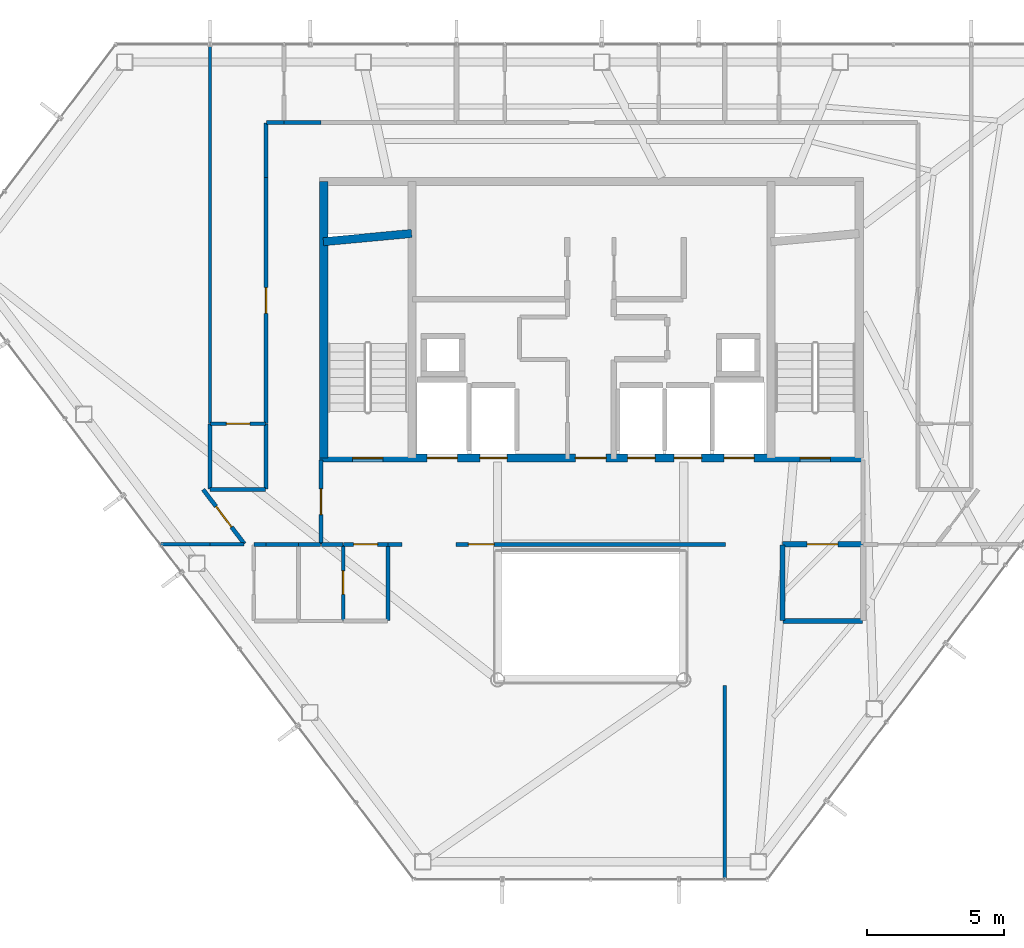
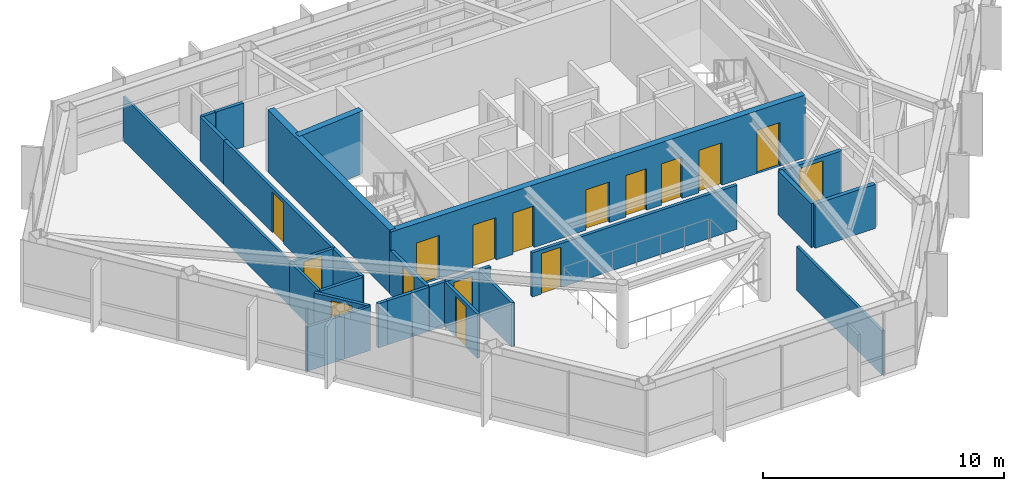
# One storey, part 22 of 25: 29 walls, 16 doors, 16 openings.
"""IFC4 building model written with IfcOpenShell, lengths in metres."""

from ifc_helpers import new_model, si_unit, direction, frame, frame_2d, origin, place, context, subcontext, project, spatial, rectangle, extrude, material, layer, layer_set, type_object, element, fill, save


model = new_model("IFC4")

# Units and contexts
model_context = context("Model", 3, precision=1e-05, world=origin(), true_north=direction((0.0, 1.0)))
body_context = subcontext(model_context, "Body", "Model", "MODEL_VIEW")
ifc_project = project(units=[si_unit("LENGTHUNIT", "METRE"), si_unit("AREAUNIT", "SQUARE_METRE"), si_unit("VOLUMEUNIT", "CUBIC_METRE"), si_unit("PLANEANGLEUNIT", "RADIAN"), si_unit("MASSUNIT", "GRAM", prefix="KILO")], contexts=[model_context])

# Site, building, storey
site_placement = place(None, origin())
site = spatial("IfcSite", under=ifc_project, at=site_placement, CompositionType="ELEMENT")
building_placement = place(site_placement, origin())
building = spatial("IfcBuilding", under=site, at=building_placement, Name="Zarrinselat Tower", CompositionType="ELEMENT")
storey_placement = place(building_placement, frame((0.0, 0.0, 208.760009765625)))
storey = spatial("IfcBuildingStorey", under=building, at=storey_placement, Name="L51", CompositionType="ELEMENT", Elevation=208.760009765625)

# Wall, opening, door
ifc_material_1 = material(Name="Concrete C40/50", Category="concrete")
ifc_layer_1 = layer(ifc_material_1, 0.18994140625)
ifc_layer_set_1 = layer_set([ifc_layer_1], Name="Concrete C40/50")
wall_type_1 = type_object("IfcWallType", Name="WAL-PART-EI120", PredefinedType="PARTITIONING", material=ifc_layer_set_1)
wall_1_placement = place(storey_placement, frame((45.405029296875, 30.14990234375, 0.0), z_axis=(0.0, 0.0, 1.0), x_axis=(1.0, 0.0, 0.0)))
wall_1 = element("IfcWall", 1, at=wall_1_placement, inside=storey, type_object=wall_type_1, Name="L51 Partition Wall 16", PredefinedType="PARTITIONING", context=body_context, shape_type="SweptSolid", body=[
    extrude(rectangle(XDim=2.925048828125, YDim=0.18994140625, at=frame_2d((1.46240234375, 0.0))), origin(), (0.0, 0.0, 1.0), 2.235107421875),
])
opening_1_placement = place(wall_1_placement, frame((0.902587890625, 0.0, 0.0)))
opening_1 = element("IfcOpeningElement", 2, at=opening_1_placement, cuts=wall_1, Name="Opening ID-02", PredefinedType="OPENING", context=body_context, shape_type="SweptSolid", body=[
    extrude(rectangle(XDim=1.1201171875, YDim=2.050048828125, at=frame_2d((0.56005859375, 1.02490234375))), frame((0.0, 0.10498046875, 0.0), z_axis=(0.0, -1.0, 0.0), x_axis=(1.0, 0.0, 0.0)), (0.0, 0.0, 1.0), 0.2099609375),
])
ifc_material_2 = material(Name="Steel S355J2", Category="steel")
door_type_1 = type_object("IfcDoorType", Name="DR-INT-FD60-W", OperationType="NOTDEFINED", PredefinedType="DOOR", material=ifc_material_2)
door_1_placement = place(opening_1_placement, origin())
door_1 = element("IfcDoor", 3, at=door_1_placement, inside=storey, type_object=door_type_1, Name="L51 Interior Door P16", OperationType="SINGLE_SWING_RIGHT", OverallHeight=2.050048828125, OverallWidth=1.1201171875, PredefinedType="DOOR", context=body_context, shape_type="SweptSolid", body=[
    extrude(rectangle(XDim=1.1201171875, YDim=2.050048828125, at=frame_2d((0.56005859375, 1.02490234375))), frame((0.0, 0.02490234375, 0.0), z_axis=(0.0, -1.0, 0.0), x_axis=(1.0, 0.0, 0.0)), (0.0, 0.0, 1.0), 0.050048828125),
])
fill(opening_1, door_1)

# Walls
wall_2_placement = place(storey_placement, frame((45.419921875, 27.35009765625, 0.0), z_axis=(0.0, 0.0, 1.0), x_axis=(1.0, 0.0, 0.0)))
element("IfcWall", 4, at=wall_2_placement, inside=storey, type_object=wall_type_1, Name="L51 Partition Wall 23", PredefinedType="PARTITIONING", context=body_context, shape_type="SweptSolid", body=[
    extrude(rectangle(XDim=2.91015625, YDim=0.18994140625, at=frame_2d((1.455078125, 0.0))), origin(), (0.0, 0.0, 1.0), 2.235107421875),
])
wall_3_placement = place(storey_placement, frame((45.39990234375, 27.3701171875, 0.0), z_axis=(0.0, 0.0, 1.0), x_axis=(0.0, 1.0, 0.0)))
element("IfcWall", 5, at=wall_3_placement, inside=storey, type_object=wall_type_1, Name="L51 Partition Wall 24", PredefinedType="PARTITIONING", context=body_context, shape_type="SweptSolid", body=[
    extrude(rectangle(XDim=2.759765625, YDim=0.18994140625, at=frame_2d((1.3798828125, 0.0))), origin(), (0.0, 0.0, 1.0), 2.235107421875),
])

# Wall, opening, door
ifc_material_3 = material(Name="Fire-Rated Gypsum Board Partition", Category="gypsum")
ifc_layer_2 = layer(ifc_material_3, 0.14990234375)
ifc_layer_set_2 = layer_set([ifc_layer_2], Name="Fire-Rated Gypsum Board Partition")
wall_type_2 = type_object("IfcWallType", Name="WAL-PART-EI60", PredefinedType="PARTITIONING", material=ifc_layer_set_2)
wall_4_placement = place(storey_placement, frame((28.550048828125, 30.169921875, 0.0), z_axis=(0.0, 0.0, 1.0), x_axis=(0.0, 1.0, 0.0)))
wall_4 = element("IfcWall", 6, at=wall_4_placement, inside=storey, type_object=wall_type_2, Name="L51 Partition Wall 17", PredefinedType="PARTITIONING", context=body_context, shape_type="SweptSolid", body=[
    extrude(rectangle(XDim=3.06005859375, YDim=0.14990234375, at=frame_2d((1.530029296875, 0.0))), origin(), (0.0, 0.0, 1.0), 2.235107421875),
])
opening_2_placement = place(wall_4_placement, frame((1.06005859375, 0.0, 0.0)))
opening_2 = element("IfcOpeningElement", 7, at=opening_2_placement, cuts=wall_4, Name="Opening ID-04", PredefinedType="OPENING", context=body_context, shape_type="SweptSolid", body=[
    extrude(rectangle(XDim=0.93994140625, YDim=2.050048828125, at=frame_2d((0.469970703125, 1.02490234375))), frame((0.0, 0.0849609375, 0.0), z_axis=(0.0, -1.0, 0.0), x_axis=(1.0, 0.0, 0.0)), (0.0, 0.0, 1.0), 0.169921875),
])
ifc_material_4 = material(Name="Fire-Rated Gypsum Board Partition")
door_type_2 = type_object("IfcDoorType", Name="DR-INT-FD30-ENT", OperationType="NOTDEFINED", PredefinedType="DOOR", material=ifc_material_4)
door_2_placement = place(opening_2_placement, origin())
door_2 = element("IfcDoor", 8, at=door_2_placement, inside=storey, type_object=door_type_2, Name="L51 Interior Door P17", OperationType="SINGLE_SWING_LEFT", OverallHeight=2.050048828125, OverallWidth=0.93994140625, PredefinedType="DOOR", context=body_context, shape_type="SweptSolid", body=[
    extrude(rectangle(XDim=0.93994140625, YDim=2.050048828125, at=frame_2d((0.469970703125, 1.02490234375))), frame((0.0, 0.02490234375, 0.0), z_axis=(0.0, -1.0, 0.0), x_axis=(1.0, 0.0, 0.0)), (0.0, 0.0, 1.0), 0.050048828125),
])
fill(opening_2, door_2)

wall_5_placement = place(storey_placement, frame((29.364990234375, 30.14990234375, 0.0), z_axis=(0.0, 0.0, 1.0), x_axis=(1.0, 0.0, 0.0)))
wall_5 = element("IfcWall", 9, at=wall_5_placement, inside=storey, type_object=wall_type_2, Name="L51 Partition Wall 19", PredefinedType="PARTITIONING", context=body_context, shape_type="SweptSolid", body=[
    extrude(rectangle(XDim=1.630126953125, YDim=0.14990234375, at=frame_2d((0.81494140625, 0.0))), origin(), (0.0, 0.0, 1.0), 2.235107421875),
])
opening_3_placement = place(wall_5_placement, frame((0.375, 0.0, 0.0)))
opening_3 = element("IfcOpeningElement", 10, at=opening_3_placement, cuts=wall_5, Name="Opening ID-03", PredefinedType="OPENING", context=body_context, shape_type="SweptSolid", body=[
    extrude(rectangle(XDim=0.8798828125, YDim=2.050048828125, at=frame_2d((0.43994140625, 1.02490234375))), frame((0.0, 0.0849609375, 0.0), z_axis=(0.0, -1.0, 0.0), x_axis=(1.0, 0.0, 0.0)), (0.0, 0.0, 1.0), 0.169921875),
])
ifc_material_5 = material(Name="Steel S355J2", Category="steel")
door_type_3 = type_object("IfcDoorType", Name="DR-INT-FD60-S", OperationType="NOTDEFINED", PredefinedType="DOOR", material=ifc_material_5)
door_3_placement = place(opening_3_placement, origin())
door_3 = element("IfcDoor", 11, at=door_3_placement, inside=storey, type_object=door_type_3, Name="L51 Interior Door P19", OperationType="SINGLE_SWING_RIGHT", OverallHeight=2.050048828125, OverallWidth=0.8798828125, PredefinedType="DOOR", context=body_context, shape_type="SweptSolid", body=[
    extrude(rectangle(XDim=0.8798828125, YDim=2.050048828125, at=frame_2d((0.43994140625, 1.02490234375))), frame((0.0, 0.02490234375, 0.0), z_axis=(0.0, -1.0, 0.0), x_axis=(1.0, 0.0, 0.0)), (0.0, 0.0, 1.0), 0.050048828125),
])
fill(opening_3, door_3)

# Wall
wall_6_placement = place(storey_placement, frame((28.570068359375, 30.14990234375, 0.0), z_axis=(0.0, 0.0, 1.0), x_axis=(1.0, 0.0, 0.0)))
element("IfcWall", 12, at=wall_6_placement, inside=storey, type_object=wall_type_2, Name="L51 Partition Wall 20", PredefinedType="PARTITIONING", context=body_context, shape_type="SweptSolid", body=[
    extrude(rectangle(XDim=0.784912109375, YDim=0.14990234375, at=frame_2d((0.392578125, 0.0))), origin(), (0.0, 0.0, 1.0), 2.235107421875),
])

# Wall, opening, door
wall_7_placement = place(storey_placement, frame((33.485107421875, 30.14990234375, 0.0), z_axis=(0.0, 0.0, 1.0), x_axis=(1.0, 0.0, 0.0)))
wall_7 = element("IfcWall", 13, at=wall_7_placement, inside=storey, type_object=wall_type_2, Name="L51 Partition Wall 21", PredefinedType="PARTITIONING", context=body_context, shape_type="SweptSolid", body=[
    extrude(rectangle(XDim=9.829833984375, YDim=0.14990234375, at=frame_2d((4.9150390625, 0.0))), origin(), (0.0, 0.0, 1.0), 2.235107421875),
])
opening_4_placement = place(wall_7_placement, frame((0.445068359375, 0.0, 0.0)))
opening_4 = element("IfcOpeningElement", 14, at=opening_4_placement, cuts=wall_7, Name="Opening ID-04", PredefinedType="OPENING", context=body_context, shape_type="SweptSolid", body=[
    extrude(rectangle(XDim=0.93994140625, YDim=2.050048828125, at=frame_2d((0.469970703125, 1.02490234375))), frame((0.0, 0.0849609375, 0.0), z_axis=(0.0, -1.0, 0.0), x_axis=(1.0, 0.0, 0.0)), (0.0, 0.0, 1.0), 0.169921875),
])
door_4_placement = place(opening_4_placement, origin())
door_4 = element("IfcDoor", 15, at=door_4_placement, inside=storey, type_object=door_type_2, Name="L51 Interior Door P21", OperationType="SINGLE_SWING_LEFT", OverallHeight=2.050048828125, OverallWidth=0.93994140625, PredefinedType="DOOR", context=body_context, shape_type="SweptSolid", body=[
    extrude(rectangle(XDim=0.93994140625, YDim=2.050048828125, at=frame_2d((0.469970703125, 1.02490234375))), frame((0.0, 0.02490234375, 0.0), z_axis=(0.0, -1.0, 0.0), x_axis=(1.0, 0.0, 0.0)), (0.0, 0.0, 1.0), 0.050048828125),
])
fill(opening_4, door_4)

# Walls
wall_8_placement = place(storey_placement, frame((31.0048828125, 30.14990234375, 0.0), z_axis=(0.0, 0.0, 1.0), x_axis=(1.0, 0.0, 0.0)))
element("IfcWall", 16, at=wall_8_placement, inside=storey, type_object=wall_type_2, Name="L51 Partition Wall 22", PredefinedType="PARTITIONING", context=body_context, shape_type="SweptSolid", body=[
    extrude(rectangle(XDim=0.510009765625, YDim=0.14990234375, at=frame_2d((0.2548828125, 0.0))), origin(), (0.0, 0.0, 1.0), 2.235107421875),
])
wall_9_placement = place(storey_placement, frame((26.550048828125, 30.14990234375, 0.0), z_axis=(0.0, 0.0, 1.0), x_axis=(1.0, 0.0, 0.0)))
element("IfcWall", 17, at=wall_9_placement, inside=storey, type_object=wall_type_2, Name="L51 Partition Wall 26", PredefinedType="PARTITIONING", context=body_context, shape_type="SweptSolid", body=[
    extrude(rectangle(XDim=1.175048828125, YDim=0.14990234375, at=frame_2d((0.58740234375, 0.0))), origin(), (0.0, 0.0, 1.0), 2.235107421875),
])
wall_10_placement = place(storey_placement, frame((26.10498046875, 30.14990234375, 0.0), z_axis=(0.0, 0.0, 1.0), x_axis=(1.0, 0.0, 0.0)))
element("IfcWall", 18, at=wall_10_placement, inside=storey, type_object=wall_type_2, Name="L51 Partition Wall 27", PredefinedType="PARTITIONING", context=body_context, shape_type="SweptSolid", body=[
    extrude(rectangle(XDim=0.445068359375, YDim=0.14990234375, at=frame_2d((0.22265625, 0.0))), origin(), (0.0, 0.0, 1.0), 2.235107421875),
])
wall_11_placement = place(storey_placement, frame((27.735107421875, 30.14990234375, 0.0), z_axis=(0.0, 0.0, 1.0), x_axis=(1.0, 0.0, 0.0)))
element("IfcWall", 19, at=wall_11_placement, inside=storey, type_object=wall_type_2, Name="L51 Partition Wall 28", PredefinedType="PARTITIONING", context=body_context, shape_type="SweptSolid", body=[
    extrude(rectangle(XDim=0.794921875, YDim=0.14990234375, at=frame_2d((0.3974609375, 0.0))), origin(), (0.0, 0.0, 1.0), 2.235107421875),
])

# Wall, opening, door
wall_12_placement = place(storey_placement, frame((24.249755859375, 32.14990234375, 0.0), z_axis=(0.0, 0.0, 1.0), x_axis=(0.60385391082, -0.797095009637, 0.0)))
wall_12 = element("IfcWall", 20, at=wall_12_placement, inside=storey, type_object=wall_type_2, Name="L51 Partition Wall 31", PredefinedType="PARTITIONING", context=body_context, shape_type="SweptSolid", body=[
    extrude(rectangle(XDim=2.489013671875, YDim=0.14990234375, at=frame_2d((1.24462890625, 0.0))), origin(), (0.0, 0.0, 1.0), 2.235107421875),
])
opening_5_placement = place(wall_12_placement, frame((0.774658203125, 0.0, 0.0)))
opening_5 = element("IfcOpeningElement", 21, at=opening_5_placement, cuts=wall_12, Name="Opening ID-04", PredefinedType="OPENING", context=body_context, shape_type="SweptSolid", body=[
    extrude(rectangle(XDim=0.93994140625, YDim=2.050048828125, at=frame_2d((0.469970703125, 1.02490234375))), frame((0.0, 0.0849609375, 0.0), z_axis=(0.0, -1.0, 0.0), x_axis=(1.0, 0.0, 0.0)), (0.0, 0.0, 1.0), 0.169921875),
])
door_5_placement = place(opening_5_placement, origin())
door_5 = element("IfcDoor", 22, at=door_5_placement, inside=storey, type_object=door_type_2, Name="L51 Interior Door P31", OperationType="SINGLE_SWING_LEFT", OverallHeight=2.050048828125, OverallWidth=0.93994140625, PredefinedType="DOOR", context=body_context, shape_type="SweptSolid", body=[
    extrude(rectangle(XDim=0.93994140625, YDim=2.050048828125, at=frame_2d((0.469970703125, 1.02490234375))), frame((0.0, 0.02490234375, 0.0), z_axis=(0.0, -1.0, 0.0), x_axis=(1.0, 0.0, 0.0)), (0.0, 0.0, 1.0), 0.050048828125),
])
fill(opening_5, door_5)

wall_13_placement = place(storey_placement, frame((26.550048828125, 34.554931640625, 0.0), z_axis=(0.0, 0.0, 1.0), x_axis=(0.0, 1.0, 0.0)))
wall_13 = element("IfcWall", 23, at=wall_13_placement, inside=storey, type_object=wall_type_2, Name="L51 Partition Wall 33", PredefinedType="PARTITIONING", context=body_context, shape_type="SweptSolid", body=[
    extrude(rectangle(XDim=8.9951171875, YDim=0.14990234375, at=frame_2d((4.49755859375, 0.0))), origin(), (0.0, 0.0, 1.0), 2.235107421875),
])
opening_6_placement = place(wall_13_placement, frame((4.027587890625, 0.0, 0.0)))
opening_6 = element("IfcOpeningElement", 24, at=opening_6_placement, cuts=wall_13, Name="Opening ID-04", PredefinedType="OPENING", context=body_context, shape_type="SweptSolid", body=[
    extrude(rectangle(XDim=0.93994140625, YDim=2.050048828125, at=frame_2d((0.469970703125, 1.02490234375))), frame((0.0, 0.0849609375, 0.0), z_axis=(0.0, -1.0, 0.0), x_axis=(1.0, 0.0, 0.0)), (0.0, 0.0, 1.0), 0.169921875),
])
door_6_placement = place(opening_6_placement, origin())
door_6 = element("IfcDoor", 25, at=door_6_placement, inside=storey, type_object=door_type_2, Name="L51 Interior Door P33", OperationType="SINGLE_SWING_LEFT", OverallHeight=2.050048828125, OverallWidth=0.93994140625, PredefinedType="DOOR", context=body_context, shape_type="SweptSolid", body=[
    extrude(rectangle(XDim=0.93994140625, YDim=2.050048828125, at=frame_2d((0.469970703125, 1.02490234375))), frame((0.0, 0.02490234375, 0.0), z_axis=(0.0, -1.0, 0.0), x_axis=(1.0, 0.0, 0.0)), (0.0, 0.0, 1.0), 0.050048828125),
])
fill(opening_6, door_6)

# Walls
wall_14_placement = place(storey_placement, frame((26.550048828125, 43.550048828125, 0.0), z_axis=(0.0, 0.0, 1.0), x_axis=(0.0, 1.0, 0.0)))
element("IfcWall", 26, at=wall_14_placement, inside=storey, type_object=wall_type_2, Name="L51 Partition Wall 34", PredefinedType="PARTITIONING", context=body_context, shape_type="SweptSolid", body=[
    extrude(rectangle(XDim=1.97998046875, YDim=0.14990234375, at=frame_2d((0.989990234375, 0.0))), origin(), (0.0, 0.0, 1.0), 2.235107421875),
])
wall_15_placement = place(storey_placement, frame((26.570068359375, 45.550048828125, 0.0), z_axis=(0.0, 0.0, 1.0), x_axis=(1.0, 0.0, 0.0)))
element("IfcWall", 27, at=wall_15_placement, inside=storey, type_object=wall_type_2, Name="L51 Partition Wall 35", PredefinedType="PARTITIONING", context=body_context, shape_type="SweptSolid", body=[
    extrude(rectangle(XDim=0.625, YDim=0.14990234375, at=frame_2d((0.3125, 0.0))), origin(), (0.0, 0.0, 1.0), 2.235107421875),
])
wall_16_placement = place(storey_placement, frame((27.205078125, 45.550048828125, 0.0), z_axis=(0.0, 0.0, 1.0), x_axis=(1.0, 0.0, 0.0)))
element("IfcWall", 28, at=wall_16_placement, inside=storey, type_object=wall_type_2, Name="L51 Partition Wall 36", PredefinedType="PARTITIONING", context=body_context, shape_type="SweptSolid", body=[
    extrude(rectangle(XDim=1.344970703125, YDim=0.14990234375, at=frame_2d((0.67236328125, 0.0))), origin(), (0.0, 0.0, 1.0), 2.235107421875),
])
wall_17_placement = place(storey_placement, frame((24.5048828125, 32.14990234375, 0.0), z_axis=(0.0, 0.0, 1.0), x_axis=(1.0, 0.0, 0.0)))
element("IfcWall", 29, at=wall_17_placement, inside=storey, type_object=wall_type_2, Name="L51 Partition Wall 38", PredefinedType="PARTITIONING", context=body_context, shape_type="SweptSolid", body=[
    extrude(rectangle(XDim=2.025146484375, YDim=0.14990234375, at=frame_2d((1.0126953125, 0.0))), origin(), (0.0, 0.0, 1.0), 2.235107421875),
])
wall_18_placement = place(storey_placement, frame((26.550048828125, 32.169921875, 0.0), z_axis=(0.0, 0.0, 1.0), x_axis=(0.0, 1.0, 0.0)))
element("IfcWall", 30, at=wall_18_placement, inside=storey, type_object=wall_type_2, Name="L51 Partition Wall 39", PredefinedType="PARTITIONING", context=body_context, shape_type="SweptSolid", body=[
    extrude(rectangle(XDim=2.375, YDim=0.14990234375, at=frame_2d((1.1875, 0.0))), origin(), (0.0, 0.0, 1.0), 2.235107421875),
])
ifc_material_6 = material(Name="Fire-Rated Gypsum Board Partition", Category="gypsum")
ifc_layer_3 = layer(ifc_material_6, 0.1201171875)
ifc_layer_set_3 = layer_set([ifc_layer_3], Name="Fire-Rated Gypsum Board Partition")
wall_type_3 = type_object("IfcWallType", Name="WAL-PART-STD", PredefinedType="PARTITIONING", material=ifc_layer_set_3)
wall_19_placement = place(storey_placement, frame((43.300048828125, 17.925537109375, 0.0), z_axis=(0.0, 0.0, 1.0), x_axis=(0.0, 1.0, 0.0)))
element("IfcWall", 31, at=wall_19_placement, inside=storey, type_object=wall_type_3, Name="L51 Partition Wall 57", PredefinedType="PARTITIONING", context=body_context, shape_type="SweptSolid", body=[
    extrude(rectangle(XDim=7.074462890625, YDim=0.1201171875, at=frame_2d((3.537109375, 0.0))), origin(), (0.0, 0.0, 1.0), 2.235107421875),
])
wall_20_placement = place(storey_placement, frame((24.5, 30.14990234375, 0.0), z_axis=(0.0, 0.0, 1.0), x_axis=(1.0, 0.0, 0.0)))
element("IfcWall", 32, at=wall_20_placement, inside=storey, type_object=wall_type_3, Name="L51 Partition Wall 58", PredefinedType="PARTITIONING", context=body_context, shape_type="SweptSolid", body=[
    extrude(rectangle(XDim=1.244873046875, YDim=0.1201171875, at=frame_2d((0.62255859375, 0.0))), origin(), (0.0, 0.0, 1.0), 2.235107421875),
])
wall_21_placement = place(storey_placement, frame((22.693603515625, 30.14990234375, 0.0), z_axis=(0.0, 0.0, 1.0), x_axis=(1.0, 0.0, 0.0)))
element("IfcWall", 33, at=wall_21_placement, inside=storey, type_object=wall_type_3, Name="L51 Partition Wall 59", PredefinedType="PARTITIONING", context=body_context, shape_type="SweptSolid", body=[
    extrude(rectangle(XDim=1.806396484375, YDim=0.1201171875, at=frame_2d((0.9033203125, 0.0))), origin(), (0.0, 0.0, 1.0), 2.235107421875),
])
wall_22_placement = place(storey_placement, frame((24.5, 34.554931640625, 0.0), z_axis=(0.0, 0.0, 1.0), x_axis=(0.0, 1.0, 0.0)))
element("IfcWall", 34, at=wall_22_placement, inside=storey, type_object=wall_type_3, Name="L51 Partition Wall 62", PredefinedType="PARTITIONING", context=body_context, shape_type="SweptSolid", body=[
    extrude(rectangle(XDim=13.841064453125, YDim=0.1201171875, at=frame_2d((6.92041015625, 0.0))), origin(), (0.0, 0.0, 1.0), 2.235107421875),
])

# Wall, opening, door
ifc_material_7 = material(Name="Fire-Rated Gypsum Board Partition", Category="gypsum")
ifc_layer_4 = layer(ifc_material_7, 0.135009765625)
ifc_layer_set_4 = layer_set([ifc_layer_4], Name="Fire-Rated Gypsum Board Partition")
wall_type_4 = type_object("IfcWallType", Name="WAL-PART-WET", PredefinedType="PARTITIONING", material=ifc_layer_set_4)
wall_23_placement = place(storey_placement, frame((29.360107421875, 27.3701171875, 0.0), z_axis=(0.0, 0.0, 1.0), x_axis=(0.0, 1.0, 0.0)))
wall_23 = element("IfcWall", 35, at=wall_23_placement, inside=storey, type_object=wall_type_4, Name="L51 Partition Wall 50", PredefinedType="PARTITIONING", context=body_context, shape_type="SweptSolid", body=[
    extrude(rectangle(XDim=2.759765625, YDim=0.135009765625, at=frame_2d((1.3798828125, 0.0))), origin(), (0.0, 0.0, 1.0), 2.235107421875),
])
opening_7_placement = place(wall_23_placement, frame((0.949951171875, 0.0, 0.0)))
opening_7 = element("IfcOpeningElement", 36, at=opening_7_placement, cuts=wall_23, Name="Opening ID-06", PredefinedType="OPENING", context=body_context, shape_type="SweptSolid", body=[
    extrude(rectangle(XDim=0.860107421875, YDim=2.050048828125, at=frame_2d((0.43017578125, 1.02490234375))), frame((0.0, 0.077392578125, 0.0), z_axis=(0.0, -1.0, 0.0), x_axis=(1.0, 0.0, 0.0)), (0.0, 0.0, 1.0), 0.155029296875),
])
ifc_material_8 = material(Name="Extruded Aluminium Alloy EN AW-6063 T6", Category="aluminium")
door_type_4 = type_object("IfcDoorType", Name="DR-INT-WET-900", OperationType="NOTDEFINED", PredefinedType="DOOR", material=ifc_material_8)
door_7_placement = place(opening_7_placement, origin())
door_7 = element("IfcDoor", 37, at=door_7_placement, inside=storey, type_object=door_type_4, Name="L51 Interior Door P50", OperationType="SINGLE_SWING_RIGHT", OverallHeight=2.050048828125, OverallWidth=0.860107421875, PredefinedType="DOOR", context=body_context, shape_type="SweptSolid", body=[
    extrude(rectangle(XDim=0.860107421875, YDim=2.050048828125, at=frame_2d((0.43017578125, 1.02490234375))), frame((0.0, 0.02490234375, 0.0), z_axis=(0.0, -1.0, 0.0), x_axis=(1.0, 0.0, 0.0)), (0.0, 0.0, 1.0), 0.050048828125),
])
fill(opening_7, door_7)

# Walls
wall_24_placement = place(storey_placement, frame((31.0, 27.3701171875, 0.0), z_axis=(0.0, 0.0, 1.0), x_axis=(0.0, 1.0, 0.0)))
element("IfcWall", 38, at=wall_24_placement, inside=storey, type_object=wall_type_4, Name="L51 Partition Wall 52", PredefinedType="PARTITIONING", context=body_context, shape_type="SweptSolid", body=[
    extrude(rectangle(XDim=2.759765625, YDim=0.135009765625, at=frame_2d((1.3798828125, 0.0))), origin(), (0.0, 0.0, 1.0), 2.235107421875),
])
wall_25_placement = place(storey_placement, frame((24.5, 32.169921875, 0.0), z_axis=(0.0, 0.0, 1.0), x_axis=(0.0, 1.0, 0.0)))
element("IfcWall", 39, at=wall_25_placement, inside=storey, type_object=wall_type_4, Name="L51 Partition Wall 63", PredefinedType="PARTITIONING", context=body_context, shape_type="SweptSolid", body=[
    extrude(rectangle(XDim=2.375, YDim=0.135009765625, at=frame_2d((1.1875, 0.0))), origin(), (0.0, 0.0, 1.0), 2.235107421875),
])

# Wall, opening, door
wall_26_placement = place(storey_placement, frame((24.52001953125, 34.550048828125, 0.0), z_axis=(0.0, 0.0, 1.0), x_axis=(1.0, 0.0, 0.0)))
wall_26 = element("IfcWall", 40, at=wall_26_placement, inside=storey, type_object=wall_type_4, Name="L51 Partition Wall 67", PredefinedType="PARTITIONING", context=body_context, shape_type="SweptSolid", body=[
    extrude(rectangle(XDim=2.010009765625, YDim=0.135009765625, at=frame_2d((1.0048828125, 0.0))), origin(), (0.0, 0.0, 1.0), 2.235107421875),
])
opening_8_placement = place(wall_26_placement, frame((0.574951171875, 0.0, 0.0)))
opening_8 = element("IfcOpeningElement", 41, at=opening_8_placement, cuts=wall_26, Name="Opening ID-06", PredefinedType="OPENING", context=body_context, shape_type="SweptSolid", body=[
    extrude(rectangle(XDim=0.860107421875, YDim=2.050048828125, at=frame_2d((0.43017578125, 1.02490234375))), frame((0.0, 0.077392578125, 0.0), z_axis=(0.0, -1.0, 0.0), x_axis=(1.0, 0.0, 0.0)), (0.0, 0.0, 1.0), 0.155029296875),
])
door_8_placement = place(opening_8_placement, origin())
door_8 = element("IfcDoor", 42, at=door_8_placement, inside=storey, type_object=door_type_4, Name="L51 Interior Door P67", OperationType="SINGLE_SWING_LEFT", OverallHeight=2.050048828125, OverallWidth=0.860107421875, PredefinedType="DOOR", context=body_context, shape_type="SweptSolid", body=[
    extrude(rectangle(XDim=0.860107421875, YDim=2.050048828125, at=frame_2d((0.43017578125, 1.02490234375))), frame((0.0, 0.02490234375, 0.0), z_axis=(0.0, -1.0, 0.0), x_axis=(1.0, 0.0, 0.0)), (0.0, 0.0, 1.0), 0.050048828125),
])
fill(opening_8, door_8)

# Wall, openings, doors
ifc_material_9 = material(Name="Concrete C40/50", Category="concrete")
ifc_layer_5 = layer(ifc_material_9, 0.300048828125)
ifc_layer_set_5 = layer_set([ifc_layer_5], Name="Concrete C40/50")
wall_type_5 = type_object("IfcWallType", Name="WAL-SHEAR-300", PredefinedType="SHEAR", material=ifc_layer_set_5)
wall_27_placement = place(storey_placement, frame((28.5, 33.300048828125, 0.0), z_axis=(0.0, 0.0, 1.0), x_axis=(1.0, 0.0, 0.0)))
wall_27 = element("IfcWall", 43, at=wall_27_placement, inside=storey, type_object=wall_type_5, Name="L51 South Core Shear Wall", PredefinedType="SHEAR", context=body_context, shape_type="SweptSolid", body=[
    extrude(rectangle(XDim=19.860107421875, YDim=0.300048828125, at=frame_2d((9.93017578125, 0.0))), origin(), (0.0, 0.0, 1.0), 3.179931640625),
])
opening_9_placement = place(wall_27_placement, frame((3.929931640625, 0.0, 0.0)))
opening_9 = element("IfcOpeningElement", 44, at=opening_9_placement, cuts=wall_27, Name="Opening LD-FFL1", PredefinedType="OPENING", context=body_context, shape_type="SweptSolid", body=[
    extrude(rectangle(XDim=1.10009765625, YDim=2.14990234375, at=frame_2d((0.550048828125, 1.074951171875))), frame((0.0, 0.159912109375, 0.0), z_axis=(0.0, -1.0, 0.0), x_axis=(1.0, 0.0, 0.0)), (0.0, 0.0, 1.0), 0.320068359375),
])
opening_10_placement = place(wall_27_placement, frame((14.77001953125, 0.0, 0.0)))
opening_10 = element("IfcOpeningElement", 45, at=opening_10_placement, cuts=wall_27, Name="Opening LD-FFL2", PredefinedType="OPENING", context=body_context, shape_type="SweptSolid", body=[
    extrude(rectangle(XDim=1.10009765625, YDim=2.14990234375, at=frame_2d((0.550048828125, 1.074951171875))), frame((0.0, 0.159912109375, 0.0), z_axis=(0.0, -1.0, 0.0), x_axis=(1.0, 0.0, 0.0)), (0.0, 0.0, 1.0), 0.320068359375),
])
opening_11_placement = place(wall_27_placement, frame((11.25, 0.0, 0.0)))
opening_11 = element("IfcOpeningElement", 46, at=opening_11_placement, cuts=wall_27, Name="Opening LD-PL8", PredefinedType="OPENING", context=body_context, shape_type="SweptSolid", body=[
    extrude(rectangle(XDim=1.0, YDim=2.10009765625, at=frame_2d((0.5, 1.050048828125))), frame((0.0, 0.159912109375, 0.0), z_axis=(0.0, -1.0, 0.0), x_axis=(1.0, 0.0, 0.0)), (0.0, 0.0, 1.0), 0.320068359375),
])
opening_12_placement = place(wall_27_placement, frame((12.949951171875, 0.0, 0.0)))
opening_12 = element("IfcOpeningElement", 47, at=opening_12_placement, cuts=wall_27, Name="Opening LD-PL9", PredefinedType="OPENING", context=body_context, shape_type="SweptSolid", body=[
    extrude(rectangle(XDim=1.0, YDim=2.10009765625, at=frame_2d((0.5, 1.050048828125))), frame((0.0, 0.159912109375, 0.0), z_axis=(0.0, -1.0, 0.0), x_axis=(1.0, 0.0, 0.0)), (0.0, 0.0, 1.0), 0.320068359375),
])
opening_13_placement = place(wall_27_placement, frame((5.85009765625, 0.0, 0.0)))
opening_13 = element("IfcOpeningElement", 48, at=opening_13_placement, cuts=wall_27, Name="Opening LD-PL10", PredefinedType="OPENING", context=body_context, shape_type="SweptSolid", body=[
    extrude(rectangle(XDim=1.0, YDim=2.10009765625, at=frame_2d((0.5, 1.050048828125))), frame((0.0, 0.159912109375, 0.0), z_axis=(0.0, -1.0, 0.0), x_axis=(1.0, 0.0, 0.0)), (0.0, 0.0, 1.0), 0.320068359375),
])
opening_14_placement = place(wall_27_placement, frame((1.2099609375, 0.0, 0.0)))
opening_14 = element("IfcOpeningElement", 49, at=opening_14_placement, cuts=wall_27, Name="Opening SD-01", PredefinedType="OPENING", context=body_context, shape_type="SweptSolid", body=[
    extrude(rectangle(XDim=1.10009765625, YDim=2.199951171875, at=frame_2d((0.550048828125, 1.10009765625))), frame((0.0, 0.159912109375, 0.0), z_axis=(0.0, -1.0, 0.0), x_axis=(1.0, 0.0, 0.0)), (0.0, 0.0, 1.0), 0.320068359375),
])
opening_15_placement = place(wall_27_placement, frame((9.340087890625, 0.0, 0.0)))
opening_15 = element("IfcOpeningElement", 50, at=opening_15_placement, cuts=wall_27, Name="Opening ID-02", PredefinedType="OPENING", context=body_context, shape_type="SweptSolid", body=[
    extrude(rectangle(XDim=1.1201171875, YDim=2.050048828125, at=frame_2d((0.56005859375, 1.02490234375))), frame((0.0, 0.159912109375, 0.0), z_axis=(0.0, -1.0, 0.0), x_axis=(1.0, 0.0, 0.0)), (0.0, 0.0, 1.0), 0.320068359375),
])
opening_16_placement = place(wall_27_placement, frame((17.550048828125, 0.0, 0.0)))
opening_16 = element("IfcOpeningElement", 51, at=opening_16_placement, cuts=wall_27, Name="Opening SD-01", PredefinedType="OPENING", context=body_context, shape_type="SweptSolid", body=[
    extrude(rectangle(XDim=1.10009765625, YDim=2.199951171875, at=frame_2d((0.550048828125, 1.10009765625))), frame((0.0, 0.159912109375, 0.0), z_axis=(0.0, -1.0, 0.0), x_axis=(1.0, 0.0, 0.0)), (0.0, 0.0, 1.0), 0.320068359375),
])
door_9_placement = place(opening_15_placement, origin())
door_9 = element("IfcDoor", 52, at=door_9_placement, inside=storey, type_object=door_type_1, Name="L51 Core Service Vestibule Fire Door", OperationType="SINGLE_SWING_LEFT", OverallHeight=2.050048828125, OverallWidth=1.1201171875, PredefinedType="DOOR", context=body_context, shape_type="SweptSolid", body=[
    extrude(rectangle(XDim=1.1201171875, YDim=2.050048828125, at=frame_2d((0.56005859375, 1.02490234375))), frame((0.0, 0.02490234375, 0.0), z_axis=(0.0, -1.0, 0.0), x_axis=(1.0, 0.0, 0.0)), (0.0, 0.0, 1.0), 0.050048828125),
])
fill(opening_15, door_9)
ifc_material_10 = material(Name="Steel S355J2", Category="steel")
door_type_5 = type_object("IfcDoorType", Name="DR-LIFT-FF-1100", OperationType="NOTDEFINED", PredefinedType="DOOR", material=ifc_material_10)
door_10_placement = place(opening_9_placement, origin())
door_10 = element("IfcDoor", 53, at=door_10_placement, inside=storey, type_object=door_type_5, Name="L51 Lift FFL1 Sliding Landing Door", OperationType="SLIDING_TO_LEFT", OverallHeight=2.14990234375, OverallWidth=1.10009765625, PredefinedType="DOOR", context=body_context, shape_type="SweptSolid", body=[
    extrude(rectangle(XDim=1.10009765625, YDim=2.14990234375, at=frame_2d((0.550048828125, 1.074951171875))), frame((0.0, 0.02490234375, 0.0), z_axis=(0.0, -1.0, 0.0), x_axis=(1.0, 0.0, 0.0)), (0.0, 0.0, 1.0), 0.050048828125),
])
fill(opening_9, door_10)
door_11_placement = place(opening_10_placement, origin())
door_11 = element("IfcDoor", 54, at=door_11_placement, inside=storey, type_object=door_type_5, Name="L51 Lift FFL2 Sliding Landing Door", OperationType="SLIDING_TO_RIGHT", OverallHeight=2.14990234375, OverallWidth=1.10009765625, PredefinedType="DOOR", context=body_context, shape_type="SweptSolid", body=[
    extrude(rectangle(XDim=1.10009765625, YDim=2.14990234375, at=frame_2d((0.550048828125, 1.074951171875))), frame((0.0, 0.02490234375, 0.0), z_axis=(0.0, -1.0, 0.0), x_axis=(1.0, 0.0, 0.0)), (0.0, 0.0, 1.0), 0.050048828125),
])
fill(opening_10, door_11)
ifc_material_11 = material(Name="Steel S355J2", Category="steel")
door_type_6 = type_object("IfcDoorType", Name="DR-LIFT-PS-1000", OperationType="NOTDEFINED", PredefinedType="DOOR", material=ifc_material_11)
door_12_placement = place(opening_11_placement, origin())
door_12 = element("IfcDoor", 55, at=door_12_placement, inside=storey, type_object=door_type_6, Name="L51 Lift PL8 Sliding Landing Door", OperationType="SLIDING_TO_RIGHT", OverallHeight=2.10009765625, OverallWidth=1.0, PredefinedType="DOOR", context=body_context, shape_type="SweptSolid", body=[
    extrude(rectangle(XDim=1.0, YDim=2.10009765625, at=frame_2d((0.5, 1.050048828125))), frame((0.0, 0.02490234375, 0.0), z_axis=(0.0, -1.0, 0.0), x_axis=(1.0, 0.0, 0.0)), (0.0, 0.0, 1.0), 0.050048828125),
])
fill(opening_11, door_12)
door_13_placement = place(opening_12_placement, origin())
door_13 = element("IfcDoor", 56, at=door_13_placement, inside=storey, type_object=door_type_6, Name="L51 Lift PL9 Sliding Landing Door", OperationType="SLIDING_TO_LEFT", OverallHeight=2.10009765625, OverallWidth=1.0, PredefinedType="DOOR", context=body_context, shape_type="SweptSolid", body=[
    extrude(rectangle(XDim=1.0, YDim=2.10009765625, at=frame_2d((0.5, 1.050048828125))), frame((0.0, 0.02490234375, 0.0), z_axis=(0.0, -1.0, 0.0), x_axis=(1.0, 0.0, 0.0)), (0.0, 0.0, 1.0), 0.050048828125),
])
fill(opening_12, door_13)
door_14_placement = place(opening_13_placement, origin())
door_14 = element("IfcDoor", 57, at=door_14_placement, inside=storey, type_object=door_type_6, Name="L51 Lift PL10 Sliding Landing Door", OperationType="SLIDING_TO_RIGHT", OverallHeight=2.10009765625, OverallWidth=1.0, PredefinedType="DOOR", context=body_context, shape_type="SweptSolid", body=[
    extrude(rectangle(XDim=1.0, YDim=2.10009765625, at=frame_2d((0.5, 1.050048828125))), frame((0.0, 0.02490234375, 0.0), z_axis=(0.0, -1.0, 0.0), x_axis=(1.0, 0.0, 0.0)), (0.0, 0.0, 1.0), 0.050048828125),
])
fill(opening_13, door_14)
ifc_material_12 = material(Name="Steel S355J2", Category="steel")
door_type_7 = type_object("IfcDoorType", Name="DR-STAIR-1100", OperationType="NOTDEFINED", PredefinedType="DOOR", material=ifc_material_12)
door_15_placement = place(opening_14_placement, origin())
door_15 = element("IfcDoor", 58, at=door_15_placement, inside=storey, type_object=door_type_7, Name="L51 Exit Stair 1 Fire Door", OperationType="SINGLE_SWING_LEFT", OverallHeight=2.199951171875, OverallWidth=1.10009765625, PredefinedType="DOOR", context=body_context, shape_type="SweptSolid", body=[
    extrude(rectangle(XDim=1.10009765625, YDim=2.199951171875, at=frame_2d((0.550048828125, 1.10009765625))), frame((0.0, 0.02490234375, 0.0), z_axis=(0.0, -1.0, 0.0), x_axis=(1.0, 0.0, 0.0)), (0.0, 0.0, 1.0), 0.050048828125),
])
fill(opening_14, door_15)
door_16_placement = place(opening_16_placement, origin())
door_16 = element("IfcDoor", 59, at=door_16_placement, inside=storey, type_object=door_type_7, Name="L51 Exit Stair 2 Fire Door", OperationType="SINGLE_SWING_RIGHT", OverallHeight=2.199951171875, OverallWidth=1.10009765625, PredefinedType="DOOR", context=body_context, shape_type="SweptSolid", body=[
    extrude(rectangle(XDim=1.10009765625, YDim=2.199951171875, at=frame_2d((0.550048828125, 1.10009765625))), frame((0.0, 0.02490234375, 0.0), z_axis=(0.0, -1.0, 0.0), x_axis=(1.0, 0.0, 0.0)), (0.0, 0.0, 1.0), 0.050048828125),
])
fill(opening_16, door_16)

# Walls
wall_28_placement = place(storey_placement, frame((28.64990234375, 33.300048828125, 0.0), z_axis=(0.0, 0.0, 1.0), x_axis=(0.0, 1.0, 0.0)))
element("IfcWall", 60, at=wall_28_placement, inside=storey, type_object=wall_type_5, Name="L51 Core Shear Wall W", PredefinedType="SHEAR", context=body_context, shape_type="SweptSolid", body=[
    extrude(rectangle(XDim=10.099853515625, YDim=0.300048828125, at=frame_2d((5.0498046875, 0.0))), origin(), (0.0, 0.0, 1.0), 3.179931640625),
])
wall_29_placement = place(storey_placement, frame((28.639892578125, 41.199951171875, 0.0), z_axis=(0.0, 0.0, 1.0), x_axis=(0.995687118776, 0.092774789157, 0.0)))
element("IfcWall", 61, at=wall_29_placement, inside=storey, type_object=wall_type_5, Name="L51 Stair 1 North Shaft Wall", PredefinedType="SHEAR", context=body_context, shape_type="SweptSolid", body=[
    extrude(rectangle(XDim=3.234130859375, YDim=0.300048828125, at=frame_2d((1.6171875, 0.0))), origin(), (0.0, 0.0, 1.0), 3.179931640625),
])

save(model, "model.ifc")
